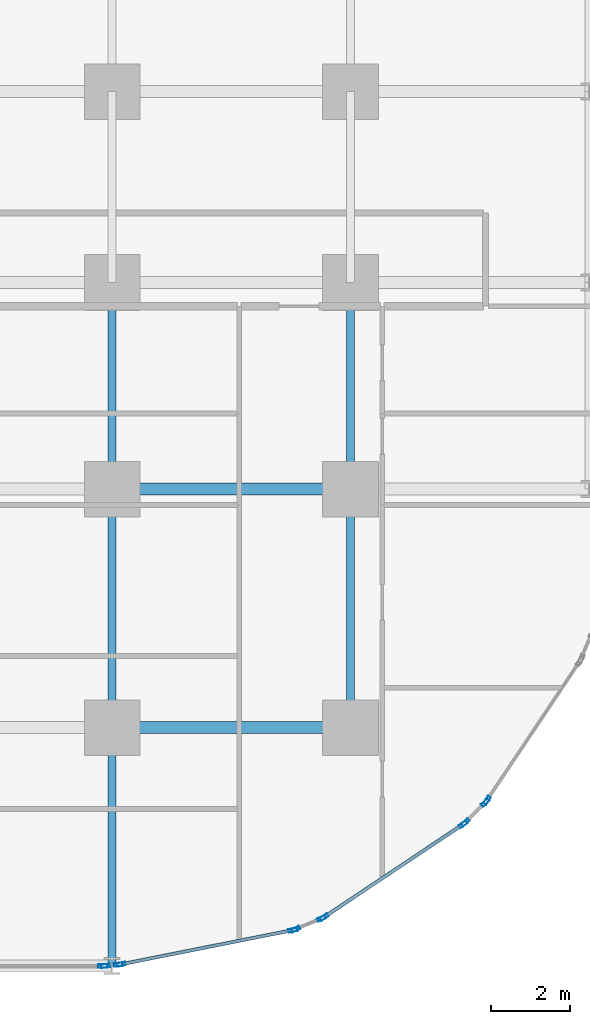
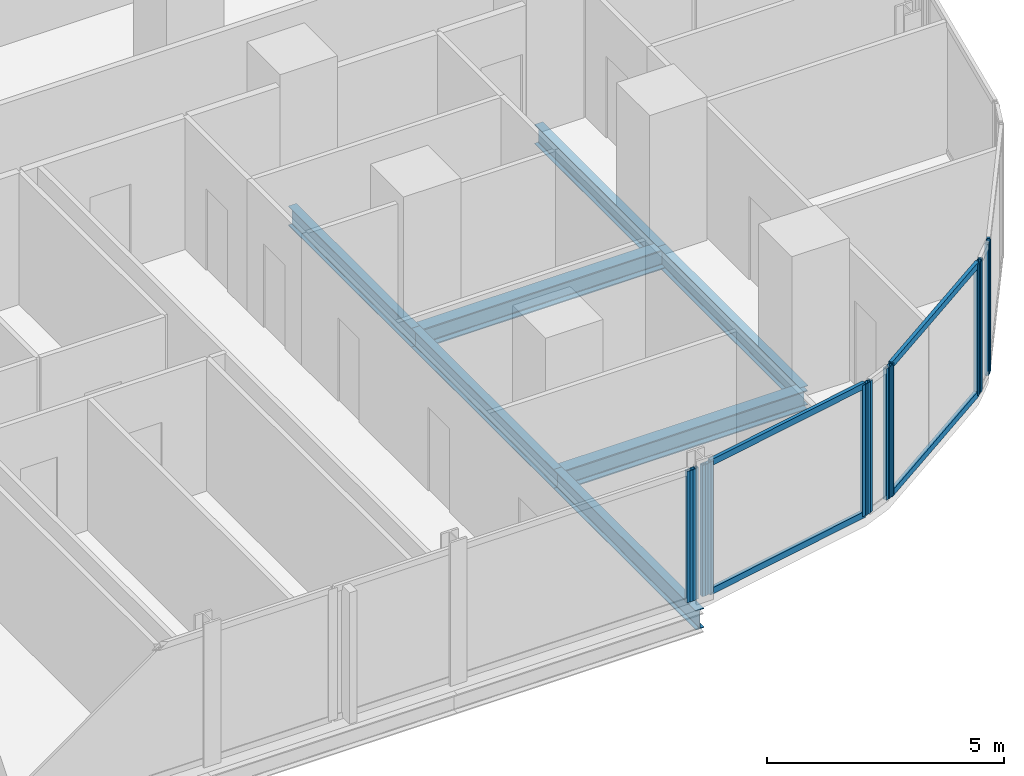
# One storey, part 9 of 35: 16 members, 7 beams, 7 elements without a shape of their own.
"""IFC4 building model written with IfcOpenShell, lengths in metres."""

from ifc_helpers import new_model, si_unit, direction, frame, origin, origin_2d, place, context, subcontext, project, spatial, hollow_rectangle, i_section, extrude, material, layer, layer_set, material_profile, profile_set, type_object, element, aggregate, save


model = new_model("IFC4")

# Units and contexts
model_context = context("Model", 3, precision=1e-05, world=origin(), true_north=direction((0.0, 1.0)))
body_context = subcontext(model_context, "Body", "Model", "MODEL_VIEW")
ifc_project = project(units=[si_unit("LENGTHUNIT", "METRE"), si_unit("AREAUNIT", "SQUARE_METRE"), si_unit("VOLUMEUNIT", "CUBIC_METRE"), si_unit("PLANEANGLEUNIT", "RADIAN"), si_unit("MASSUNIT", "GRAM", prefix="KILO")], contexts=[model_context])

# Site, building, storey
site_placement = place(None, origin())
site = spatial("IfcSite", under=ifc_project, at=site_placement, CompositionType="ELEMENT")
building_placement = place(site_placement, origin())
building = spatial("IfcBuilding", under=site, at=building_placement, Name="Keshet Zoharim Tower", CompositionType="ELEMENT")
storey_placement = place(building_placement, frame((0.0, 0.0, 24.0)))
storey = spatial("IfcBuildingStorey", under=building, at=storey_placement, Name="L04", CompositionType="ELEMENT", Elevation=24.0)

# Beams
ifc_material_1 = material(Name="Steel S355", Category="steel")
ifc_material_profile_1 = material_profile(ifc_material_1, i_section(OverallWidth=0.199951171875, OverallDepth=0.5, WebThickness=0.01025390625, FlangeThickness=0.01611328125, FilletRadius=0.02099609375, at=origin_2d()), Name="IPE500")
ifc_profile_set_1 = profile_set([ifc_material_profile_1], Name="Steel S355")
beam_type_1 = type_object("IfcBeamType", Name="BM-PRI-IP500", PredefinedType="BEAM", material=ifc_profile_set_1)
for number, where, z_axis, x_axis, name in (
    (1, (57.0, 0.699951171875, -0.56494140625), (0.0, 1.0, 0.0), (-1.0, 0.0, 0.0), "L04 Primary Girder Y-013"),
    (2, (57.0, 6.699951171875, -0.56494140625), (0.0, 1.0, 0.0), (-1.0, 0.0, 0.0), "L04 Primary Girder Y-014"),
):
    element("IfcBeam", number, at=place(storey_placement, frame(where, z_axis=z_axis, x_axis=x_axis)), inside=storey, type_object=beam_type_1, Name=name, PredefinedType="BEAM", context=body_context, shape_type="SweptSolid", body=[
        extrude(i_section(OverallWidth=0.199951171875, OverallDepth=0.5, WebThickness=0.01025390625, FlangeThickness=0.01611328125, FilletRadius=0.02099609375, at=origin_2d()), origin(), (0.0, 0.0, 1.0), 6.0),
    ])
beam_1_placement = place(storey_placement, frame((57.0, 12.699951171875, -0.56494140625), z_axis=(0.0, 1.0, 0.0), x_axis=(-1.0, 0.0, 0.0)))
element("IfcBeam", 3, at=beam_1_placement, inside=storey, type_object=beam_type_1, Name="L04 Primary Girder Y-015", PredefinedType="BEAM", context=body_context, shape_type="SweptSolid", body=[
    extrude(i_section(OverallWidth=0.199951171875, OverallDepth=0.5, WebThickness=0.01025390625, FlangeThickness=0.01611328125, FilletRadius=0.02099609375, at=origin_2d()), origin(), (0.0, 0.0, 1.0), 5.199951171875),
])
beam_2_placement = place(storey_placement, frame((63.0, 6.699951171875, -0.56494140625), z_axis=(0.0, 1.0, 0.0), x_axis=(-1.0, 0.0, 0.0)))
element("IfcBeam", 4, at=beam_2_placement, inside=storey, type_object=beam_type_1, Name="L04 Primary Girder Y-018", PredefinedType="BEAM", context=body_context, shape_type="SweptSolid", body=[
    extrude(i_section(OverallWidth=0.199951171875, OverallDepth=0.5, WebThickness=0.01025390625, FlangeThickness=0.01611328125, FilletRadius=0.02099609375, at=origin_2d()), origin(), (0.0, 0.0, 1.0), 6.0),
])
beam_3_placement = place(storey_placement, frame((63.0, 12.699951171875, -0.56494140625), z_axis=(0.0, 1.0, 0.0), x_axis=(-1.0, 0.0, 0.0)))
element("IfcBeam", 5, at=beam_3_placement, inside=storey, type_object=beam_type_1, Name="L04 Primary Girder Y-019", PredefinedType="BEAM", context=body_context, shape_type="SweptSolid", body=[
    extrude(i_section(OverallWidth=0.199951171875, OverallDepth=0.5, WebThickness=0.01025390625, FlangeThickness=0.01611328125, FilletRadius=0.02099609375, at=origin_2d()), origin(), (0.0, 0.0, 1.0), 5.199951171875),
])
ifc_material_profile_2 = material_profile(ifc_material_1, i_section(OverallWidth=0.300048828125, OverallDepth=0.5, WebThickness=0.014404296875, FlangeThickness=0.028076171875, FilletRadius=0.027099609375, at=origin_2d()), Name="HEB500")
ifc_profile_set_2 = profile_set([ifc_material_profile_2], Name="Steel S355")
beam_type_2 = type_object("IfcBeamType", Name="BM-WEB-HB500", PredefinedType="BEAM", material=ifc_profile_set_2)
for number, where, z_axis, x_axis, name in (
    (6, (57.0, 6.699951171875, -0.56494140625), (1.0, 0.0, 0.0), (0.0, 1.0, 0.0), "L04 Primary Girder X-010"),
    (7, (57.0, 12.699951171875, -0.56494140625), (1.0, 0.0, 0.0), (0.0, 1.0, 0.0), "L04 Primary Girder X-013"),
):
    element("IfcBeam", number, at=place(storey_placement, frame(where, z_axis=z_axis, x_axis=x_axis)), inside=storey, type_object=beam_type_2, Name=name, PredefinedType="BEAM", context=body_context, shape_type="SweptSolid", body=[
        extrude(i_section(OverallWidth=0.300048828125, OverallDepth=0.5, WebThickness=0.014404296875, FlangeThickness=0.028076171875, FilletRadius=0.027099609375, at=origin_2d()), origin(), (0.0, 0.0, 1.0), 6.0),
    ])

# Curtain wall, member
ifc_material_2 = material(Name="Aluminium 6063-T6", Category="aluminium")
ifc_layer = layer(ifc_material_2, 0.179931640625)
ifc_layer_set = layer_set([ifc_layer], Name="Aluminium 6063-T6")
curtain_wall_type = type_object("IfcCurtainWallType", Name="CW-SYS-01", PredefinedType="NOTDEFINED", material=ifc_layer_set)
curtain_wall_1_placement = place(storey_placement, origin())
curtain_wall_1 = element("IfcCurtainWall", 8, at=curtain_wall_1_placement, inside=storey, type_object=curtain_wall_type, Name="L04 Unitised Curtain Wall 20", PredefinedType="NOTDEFINED")
ifc_material_profile_3 = material_profile(ifc_material_2, hollow_rectangle(XDim=0.090087890625, YDim=0.219970703125, WallThickness=0.0048828125, at=origin_2d()), Name="MUL-90x220")
ifc_profile_set_3 = profile_set([ifc_material_profile_3], Name="Aluminium 6063-T6")
member_type_1 = type_object("IfcMemberType", Name="CWM-M22", PredefinedType="MULLION", material=ifc_profile_set_3)
member_1_placement = place(storey_placement, frame((66.432373046875, 4.8671875, 0.0), z_axis=(0.0, 0.0, 1.0), x_axis=(0.831474282335, -0.555563243758, 0.0)))
member_1 = element("IfcMember", 9, at=member_1_placement, type_object=member_type_1, Name="CW-01 mullion 2", PredefinedType="MULLION", context=body_context, shape_type="SweptSolid", body=[
    extrude(hollow_rectangle(XDim=0.090087890625, YDim=0.219970703125, WallThickness=0.0048828125, at=origin_2d()), origin(), (0.0, 0.0, 1.0), 3.385009765625),
])
aggregate(curtain_wall_1, [member_1])

# Curtain wall, members
curtain_wall_2_placement = place(storey_placement, origin())
curtain_wall_2 = element("IfcCurtainWall", 10, at=curtain_wall_2_placement, inside=storey, type_object=curtain_wall_type, Name="L04 Unitised Curtain Wall 21", PredefinedType="NOTDEFINED")
member_2_placement = place(storey_placement, frame((66.38818359375, 4.813232421875, 0.0), z_axis=(0.0, 0.0, 1.0), x_axis=(0.707106781187, -0.707106781187, 0.0)))
member_2 = element("IfcMember", 11, at=member_2_placement, type_object=member_type_1, Name="CW-01 mullion 1", PredefinedType="MULLION", context=body_context, shape_type="SweptSolid", body=[
    extrude(hollow_rectangle(XDim=0.090087890625, YDim=0.219970703125, WallThickness=0.0048828125, at=origin_2d()), origin(), (0.0, 0.0, 1.0), 3.385009765625),
])
member_3_placement = place(storey_placement, frame((65.88671875, 4.311767578125, 0.0), z_axis=(0.0, 0.0, 1.0), x_axis=(0.707106781187, -0.707106781187, 0.0)))
member_3 = element("IfcMember", 12, at=member_3_placement, type_object=member_type_1, Name="CW-01 mullion 2", PredefinedType="MULLION", context=body_context, shape_type="SweptSolid", body=[
    extrude(hollow_rectangle(XDim=0.090087890625, YDim=0.219970703125, WallThickness=0.0048828125, at=origin_2d()), origin(), (0.0, 0.0, 1.0), 3.385009765625),
])
aggregate(curtain_wall_2, [member_2, member_3])

curtain_wall_3_placement = place(storey_placement, origin())
curtain_wall_3 = element("IfcCurtainWall", 13, at=curtain_wall_3_placement, inside=storey, type_object=curtain_wall_type, Name="L04 Unitised Curtain Wall 22", PredefinedType="NOTDEFINED")
member_4_placement = place(storey_placement, frame((65.8330078125, 4.267578125, 0.0), z_axis=(0.0, 0.0, 1.0), x_axis=(0.555563243758, -0.831474282335, 0.0)))
member_4 = element("IfcMember", 14, at=member_4_placement, type_object=member_type_1, Name="CW-01 mullion 1", PredefinedType="MULLION", context=body_context, shape_type="SweptSolid", body=[
    extrude(hollow_rectangle(XDim=0.090087890625, YDim=0.219970703125, WallThickness=0.0048828125, at=origin_2d()), origin(), (0.0, 0.0, 1.0), 3.385009765625),
])
member_5_placement = place(storey_placement, frame((62.335205078125, 1.930419921875, 0.0), z_axis=(0.0, 0.0, 1.0), x_axis=(0.555563243758, -0.831474282335, 0.0)))
member_5 = element("IfcMember", 15, at=member_5_placement, type_object=member_type_1, Name="CW-01 mullion 2", PredefinedType="MULLION", context=body_context, shape_type="SweptSolid", body=[
    extrude(hollow_rectangle(XDim=0.090087890625, YDim=0.219970703125, WallThickness=0.0048828125, at=origin_2d()), origin(), (0.0, 0.0, 1.0), 3.385009765625),
])

curtain_wall_4_placement = place(storey_placement, origin())
curtain_wall_4 = element("IfcCurtainWall", 16, at=curtain_wall_4_placement, inside=storey, type_object=curtain_wall_type, Name="L04 Unitised Curtain Wall 23", PredefinedType="NOTDEFINED")
member_6_placement = place(storey_placement, frame((62.273681640625, 1.897705078125, 0.0), z_axis=(0.0, 0.0, 1.0), x_axis=(0.383068349739, -0.923720000557, 0.0)))
member_6 = element("IfcMember", 17, at=member_6_placement, type_object=member_type_1, Name="CW-01 mullion 1", PredefinedType="MULLION", context=body_context, shape_type="SweptSolid", body=[
    extrude(hollow_rectangle(XDim=0.090087890625, YDim=0.219970703125, WallThickness=0.0048828125, at=origin_2d()), origin(), (0.0, 0.0, 1.0), 3.385009765625),
])
member_7_placement = place(storey_placement, frame((61.617431640625, 1.62548828125, 0.0), z_axis=(0.0, 0.0, 1.0), x_axis=(0.383068349739, -0.923720000557, 0.0)))
member_7 = element("IfcMember", 18, at=member_7_placement, type_object=member_type_1, Name="CW-01 mullion 2", PredefinedType="MULLION", context=body_context, shape_type="SweptSolid", body=[
    extrude(hollow_rectangle(XDim=0.090087890625, YDim=0.219970703125, WallThickness=0.0048828125, at=origin_2d()), origin(), (0.0, 0.0, 1.0), 3.385009765625),
])
aggregate(curtain_wall_4, [member_6, member_7])

curtain_wall_5_placement = place(storey_placement, origin())
curtain_wall_5 = element("IfcCurtainWall", 19, at=curtain_wall_5_placement, inside=storey, type_object=curtain_wall_type, Name="L04 Unitised Curtain Wall 24", PredefinedType="NOTDEFINED")
member_8_placement = place(storey_placement, frame((61.55078125, 1.605224609375, 0.0), z_axis=(0.0, 0.0, 1.0), x_axis=(0.195171279072, -0.98076917357, 0.0)))
member_8 = element("IfcMember", 20, at=member_8_placement, type_object=member_type_1, Name="CW-01 mullion 1", PredefinedType="MULLION", context=body_context, shape_type="SweptSolid", body=[
    extrude(hollow_rectangle(XDim=0.090087890625, YDim=0.219970703125, WallThickness=0.0048828125, at=origin_2d()), origin(), (0.0, 0.0, 1.0), 3.385009765625),
])
member_9_placement = place(storey_placement, frame((57.227294921875, 0.744873046875, 0.0), z_axis=(0.0, 0.0, 1.0), x_axis=(0.195171279072, -0.98076917357, 0.0)))
member_9 = element("IfcMember", 21, at=member_9_placement, type_object=member_type_1, Name="CW-01 mullion 2", PredefinedType="MULLION", context=body_context, shape_type="SweptSolid", body=[
    extrude(hollow_rectangle(XDim=0.090087890625, YDim=0.219970703125, WallThickness=0.0048828125, at=origin_2d()), origin(), (0.0, 0.0, 1.0), 3.385009765625),
])

curtain_wall_6_placement = place(storey_placement, origin())
curtain_wall_6 = element("IfcCurtainWall", 22, at=curtain_wall_6_placement, inside=storey, type_object=curtain_wall_type, Name="L04 Unitised Curtain Wall 25", PredefinedType="NOTDEFINED")
member_10_placement = place(storey_placement, frame((57.158203125, 0.734619140625, 0.0), z_axis=(0.0, 0.0, 1.0), x_axis=(0.096976648633, -0.995286657009, 0.0)))
member_10 = element("IfcMember", 23, at=member_10_placement, type_object=member_type_1, Name="CW-01 mullion 1", PredefinedType="MULLION", context=body_context, shape_type="SweptSolid", body=[
    extrude(hollow_rectangle(XDim=0.090087890625, YDim=0.219970703125, WallThickness=0.0048828125, at=origin_2d()), origin(), (0.0, 0.0, 1.0), 3.385009765625),
])
member_11_placement = place(storey_placement, frame((56.837890625, 0.703369140625, 0.0), z_axis=(0.0, 0.0, 1.0), x_axis=(0.096976648633, -0.995286657009, 0.0)))
member_11 = element("IfcMember", 24, at=member_11_placement, type_object=member_type_1, Name="CW-01 mullion 2", PredefinedType="MULLION", context=body_context, shape_type="SweptSolid", body=[
    extrude(hollow_rectangle(XDim=0.090087890625, YDim=0.219970703125, WallThickness=0.0048828125, at=origin_2d()), origin(), (0.0, 0.0, 1.0), 3.385009765625),
])
aggregate(curtain_wall_6, [member_10, member_11])

# Curtain wall, member
curtain_wall_7_placement = place(storey_placement, origin())
curtain_wall_7 = element("IfcCurtainWall", 25, at=curtain_wall_7_placement, inside=storey, type_object=curtain_wall_type, Name="L04 Unitised Curtain Wall 26", PredefinedType="NOTDEFINED")
member_12_placement = place(storey_placement, frame((56.76806640625, 0.699951171875, 0.0), z_axis=(0.0, 0.0, 1.0), x_axis=(0.0, -1.0, 0.0)))
member_12 = element("IfcMember", 26, at=member_12_placement, type_object=member_type_1, Name="CW-01 mullion 1", PredefinedType="MULLION", context=body_context, shape_type="SweptSolid", body=[
    extrude(hollow_rectangle(XDim=0.090087890625, YDim=0.219970703125, WallThickness=0.0048828125, at=origin_2d()), origin(), (0.0, 0.0, 1.0), 3.385009765625),
])
aggregate(curtain_wall_7, [member_12])

# Member
ifc_material_profile_4 = material_profile(ifc_material_2, hollow_rectangle(XDim=0.0849609375, YDim=0.159912109375, WallThickness=0.00439453125, at=origin_2d()), Name="TRN-85x160")
ifc_profile_set_4 = profile_set([ifc_material_profile_4], Name="Aluminium 6063-T6")
member_type_2 = type_object("IfcMemberType", Name="CWT-T16", PredefinedType="USERDEFINED", material=ifc_profile_set_4)
member_13_placement = place(storey_placement, frame((65.8037109375, 4.248046875, 0.034912109375), z_axis=(-0.831477809106, -0.55555796544, 0.0), x_axis=(0.55555796544, -0.831477809106, 0.0)))
member_13 = element("IfcMember", 27, at=member_13_placement, type_object=member_type_2, Name="CW-01 transom 1.1", ObjectType="TRANSOM", PredefinedType="USERDEFINED", context=body_context, shape_type="SweptSolid", body=[
    extrude(hollow_rectangle(XDim=0.0849609375, YDim=0.159912109375, WallThickness=0.00439453125, at=origin_2d()), origin(), (0.0, 0.0, 1.0), 4.136474609375),
])

member_14_placement = place(storey_placement, frame((65.8037109375, 4.248046875, 3.35009765625), z_axis=(-0.831477809106, -0.55555796544, 0.0), x_axis=(0.55555796544, -0.831477809106, 0.0)))
member_14 = element("IfcMember", 28, at=member_14_placement, type_object=member_type_2, Name="CW-01 transom 1.2", ObjectType="TRANSOM", PredefinedType="USERDEFINED", context=body_context, shape_type="SweptSolid", body=[
    extrude(hollow_rectangle(XDim=0.0849609375, YDim=0.159912109375, WallThickness=0.00439453125, at=origin_2d()), origin(), (0.0, 0.0, 1.0), 4.136474609375),
])

aggregate(curtain_wall_3, [member_4, member_5, member_13, member_14])

member_15_placement = place(storey_placement, frame((61.516357421875, 1.598388671875, 0.034912109375), z_axis=(-0.980768540739, -0.195174459131, 0.0), x_axis=(0.195174459131, -0.980768540739, 0.0)))
member_15 = element("IfcMember", 29, at=member_15_placement, type_object=member_type_2, Name="CW-01 transom 1.1", ObjectType="TRANSOM", PredefinedType="USERDEFINED", context=body_context, shape_type="SweptSolid", body=[
    extrude(hollow_rectangle(XDim=0.0849609375, YDim=0.159912109375, WallThickness=0.00439453125, at=origin_2d()), origin(), (0.0, 0.0, 1.0), 4.338134765625),
])

member_16_placement = place(storey_placement, frame((61.516357421875, 1.598388671875, 3.35009765625), z_axis=(-0.980768540739, -0.195174459131, 0.0), x_axis=(0.195174459131, -0.980768540739, 0.0)))
member_16 = element("IfcMember", 30, at=member_16_placement, type_object=member_type_2, Name="CW-01 transom 1.2", ObjectType="TRANSOM", PredefinedType="USERDEFINED", context=body_context, shape_type="SweptSolid", body=[
    extrude(hollow_rectangle(XDim=0.0849609375, YDim=0.159912109375, WallThickness=0.00439453125, at=origin_2d()), origin(), (0.0, 0.0, 1.0), 4.338134765625),
])

aggregate(curtain_wall_5, [member_8, member_9, member_15, member_16])

save(model, "model.ifc")
